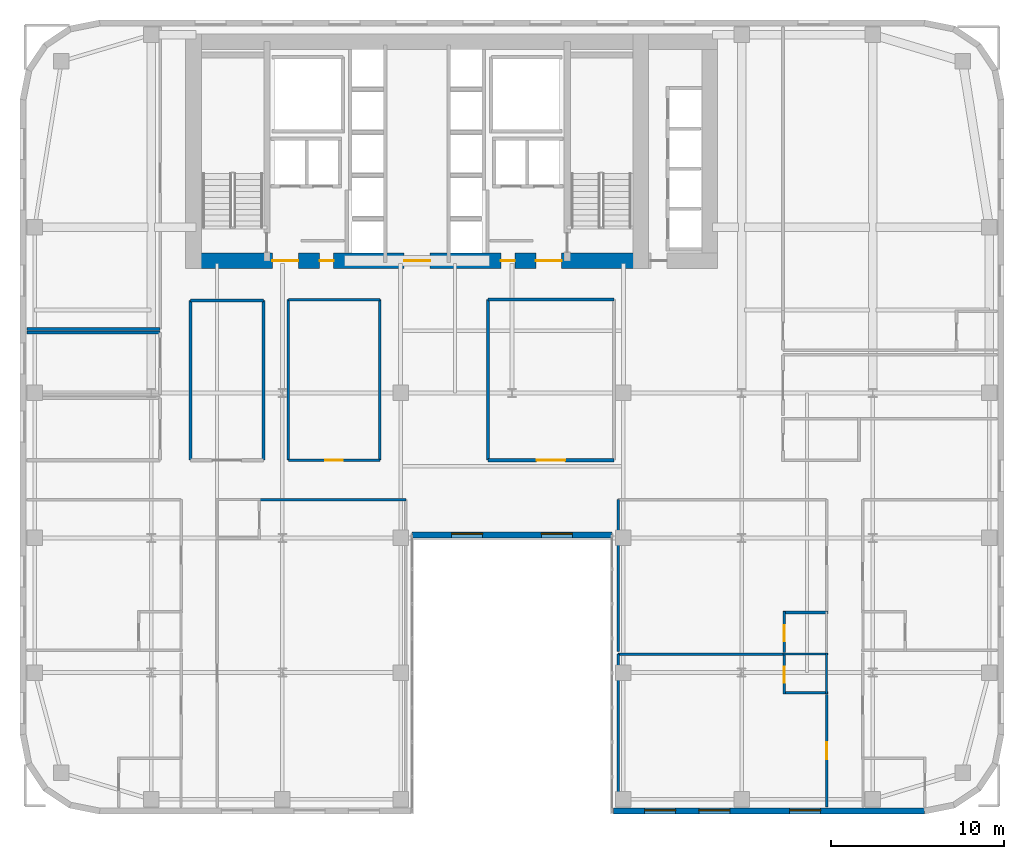
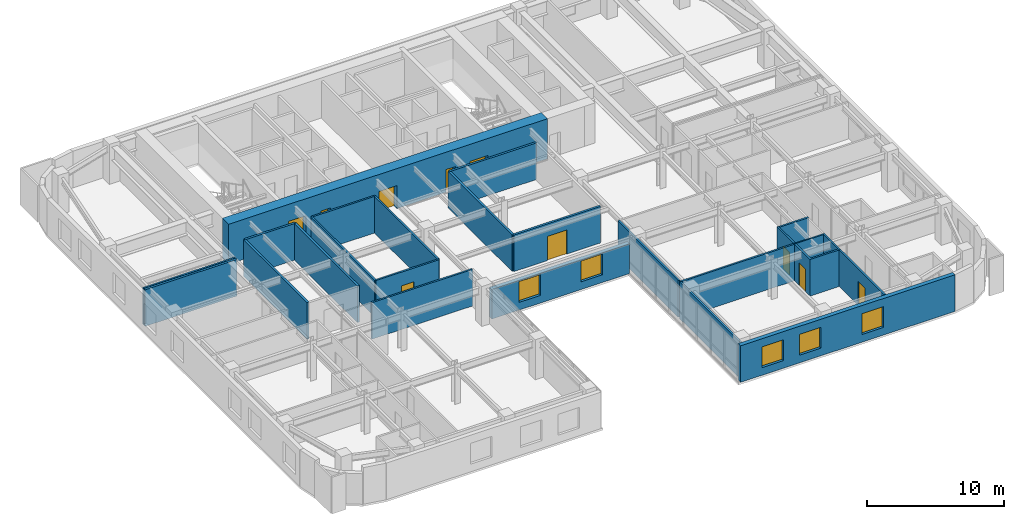
# One storey, part 11 of 16: 26 walls, 10 doors, 5 windows, 15 openings.
"""IFC4 building model written with IfcOpenShell, lengths in metres."""

from ifc_helpers import new_model, si_unit, direction, frame, frame_2d, origin, place, context, subcontext, project, spatial, rectangle, extrude, source, transform, mapped, material, layer, layer_set, type_object, type_shapes, element, fill, save


model = new_model("IFC4")

# Units and contexts
model_context = context("Model", 3, precision=1e-05, world=origin(), true_north=direction((0.0, 1.0)))
body_context = subcontext(model_context, "Body", "Model", "MODEL_VIEW")
ifc_project = project(units=[si_unit("LENGTHUNIT", "METRE"), si_unit("AREAUNIT", "SQUARE_METRE"), si_unit("VOLUMEUNIT", "CUBIC_METRE"), si_unit("PLANEANGLEUNIT", "RADIAN"), si_unit("MASSUNIT", "GRAM", prefix="KILO")], contexts=[model_context])

# Site, building, storey
site_placement = place(None, origin())
site = spatial("IfcSite", under=ifc_project, at=site_placement, CompositionType="ELEMENT")
building_placement = place(site_placement, origin())
building = spatial("IfcBuilding", under=site, at=building_placement, Name="Tolvann Quenvar Hotel", CompositionType="ELEMENT")
storey_placement = place(building_placement, frame((0.0, 0.0, 92.35009765625)))
storey = spatial("IfcBuildingStorey", under=building, at=storey_placement, Name="L23", CompositionType="ELEMENT", Elevation=92.35009765625)

# Wall, openings, doors
ifc_material_1 = material(Name="Concrete S80 (80 MPa)", Category="concrete")
ifc_layer_1 = layer(ifc_material_1, 0.89990234375)
ifc_layer_set_1 = layer_set([ifc_layer_1], Name="Concrete S80 (80 MPa)")
wall_type_1 = type_object("IfcWallType", Name="WALL_CORE_900", PredefinedType="SHEAR", material=ifc_layer_set_1)
wall_1_placement = place(storey_placement, frame((9.60009765625, 32.050048828125, 0.0), z_axis=(0.0, 0.0, 1.0), x_axis=(1.0, 0.0, 0.0)))
wall_1 = element("IfcWall", 1, at=wall_1_placement, inside=storey, type_object=wall_type_1, Name="Rear Core S Shear Wall (L23)", PredefinedType="SHEAR", context=body_context, shape_type="SweptSolid", body=[
    extrude(rectangle(XDim=26.7998046875, YDim=0.89990234375, at=frame_2d((13.39990234375, 0.0))), origin(), (0.0, 0.0, 1.0), 3.5498046875),
])
opening_1_placement = place(wall_1_placement, frame((6.52001953125, 0.0, 0.0), z_axis=(0.0, 0.0, 1.0), x_axis=(-1.0, 0.0, 0.0)))
opening_1 = element("IfcOpeningElement", 2, at=opening_1_placement, cuts=wall_1, Name="Opening FD-60D", PredefinedType="OPENING", context=body_context, shape_type="SweptSolid", body=[
    extrude(rectangle(XDim=1.5, YDim=2.0400390625, at=frame_2d((0.75, 1.02001953125))), frame((0.0, 0.4599609375, 0.0), z_axis=(0.0, -1.0, 0.0), x_axis=(1.0, 0.0, 0.0)), (0.0, 0.0, 1.0), 0.919921875),
])
opening_2_placement = place(wall_1_placement, frame((14.14990234375, 0.0, 0.0), z_axis=(0.0, 0.0, 1.0), x_axis=(-1.0, 0.0, 0.0)))
opening_2 = element("IfcOpeningElement", 3, at=opening_2_placement, cuts=wall_1, Name="Opening FD-60D", PredefinedType="OPENING", context=body_context, shape_type="SweptSolid", body=[
    extrude(rectangle(XDim=1.5, YDim=2.0400390625, at=frame_2d((0.75, 1.02001953125))), frame((0.0, 0.4599609375, 0.0), z_axis=(0.0, -1.0, 0.0), x_axis=(1.0, 0.0, 0.0)), (0.0, 0.0, 1.0), 0.919921875),
])
opening_3_placement = place(wall_1_placement, frame((21.780029296875, 0.0, 0.0), z_axis=(0.0, 0.0, 1.0), x_axis=(-1.0, 0.0, 0.0)))
opening_3 = element("IfcOpeningElement", 4, at=opening_3_placement, cuts=wall_1, Name="Opening FD-60D", PredefinedType="OPENING", context=body_context, shape_type="SweptSolid", body=[
    extrude(rectangle(XDim=1.5, YDim=2.0400390625, at=frame_2d((0.75, 1.02001953125))), frame((0.0, 0.4599609375, 0.0), z_axis=(0.0, -1.0, 0.0), x_axis=(1.0, 0.0, 0.0)), (0.0, 0.0, 1.0), 0.919921875),
])
opening_4_placement = place(wall_1_placement, frame((8.570068359375, 0.0, 0.0), z_axis=(0.0, 0.0, 1.0), x_axis=(-1.0, 0.0, 0.0)))
opening_4 = element("IfcOpeningElement", 5, at=opening_4_placement, cuts=wall_1, Name="Opening HD-02", PredefinedType="OPENING", context=body_context, shape_type="SweptSolid", body=[
    extrude(rectangle(XDim=0.820068359375, YDim=2.010009765625, at=frame_2d((0.41015625, 1.0048828125))), frame((0.0, 0.4599609375, 0.0), z_axis=(0.0, -1.0, 0.0), x_axis=(1.0, 0.0, 0.0)), (0.0, 0.0, 1.0), 0.919921875),
])
opening_5_placement = place(wall_1_placement, frame((19.070068359375, 0.0, 0.0), z_axis=(0.0, 0.0, 1.0), x_axis=(-1.0, 0.0, 0.0)))
opening_5 = element("IfcOpeningElement", 6, at=opening_5_placement, cuts=wall_1, Name="Opening HD-02", PredefinedType="OPENING", context=body_context, shape_type="SweptSolid", body=[
    extrude(rectangle(XDim=0.820068359375, YDim=2.010009765625, at=frame_2d((0.41015625, 1.0048828125))), frame((0.0, 0.4599609375, 0.0), z_axis=(0.0, -1.0, 0.0), x_axis=(1.0, 0.0, 0.0)), (0.0, 0.0, 1.0), 0.919921875),
])
ifc_material_2 = material(Name="Solid-core American oak acoustic fire door leaf in steel frame", Category="steel")
door_type_1 = type_object("IfcDoorType", Name="DOOR_FIRE_LOBBY_1500", OperationType="NOTDEFINED", PredefinedType="DOOR", material=ifc_material_2)
shared_shape_1 = source(origin(), body_context, "Body", "SweptSolid", [
    extrude(rectangle(XDim=1.5, YDim=2.0400390625, at=frame_2d((0.75, 1.02001953125))), frame((0.0, 0.02490234375, 0.0), z_axis=(0.0, -1.0, 0.0), x_axis=(1.0, 0.0, 0.0)), (0.0, 0.0, 1.0), 0.050048828125),
])
type_shapes(door_type_1, [shared_shape_1])
door_1_placement = place(opening_1_placement, origin())
door_1 = element("IfcDoor", 7, at=door_1_placement, inside=storey, type_object=door_type_1, Name="Core Lobby Fire Door FFW (L23)", OperationType="DOUBLE_DOOR_SINGLE_SWING", OverallHeight=2.0400390625, OverallWidth=1.5, PredefinedType="DOOR", context=body_context, shape_type="MappedRepresentation", body=[
    mapped(shared_shape_1, transform((0.0, 0.0, 0.0), x_axis=(1.0, 0.0, 0.0), y_axis=(0.0, 1.0, 0.0), z_axis=(0.0, 0.0, 1.0), scale=1.0)),
])
fill(opening_1, door_1)
door_2_placement = place(opening_2_placement, origin())
door_2 = element("IfcDoor", 8, at=door_2_placement, inside=storey, type_object=door_type_1, Name="Core Lobby Fire Door CLOB (L23)", OperationType="DOUBLE_DOOR_SINGLE_SWING", OverallHeight=2.0400390625, OverallWidth=1.5, PredefinedType="DOOR", context=body_context, shape_type="MappedRepresentation", body=[
    mapped(shared_shape_1, transform((0.0, 0.0, 0.0), x_axis=(1.0, 0.0, 0.0), y_axis=(0.0, 1.0, 0.0), z_axis=(0.0, 0.0, 1.0), scale=1.0)),
])
fill(opening_2, door_2)
door_3_placement = place(opening_3_placement, origin())
door_3 = element("IfcDoor", 9, at=door_3_placement, inside=storey, type_object=door_type_1, Name="Core Lobby Fire Door FFE (L23)", OperationType="DOUBLE_DOOR_SINGLE_SWING", OverallHeight=2.0400390625, OverallWidth=1.5, PredefinedType="DOOR", context=body_context, shape_type="MappedRepresentation", body=[
    mapped(shared_shape_1, transform((0.0, 0.0, 0.0), x_axis=(1.0, 0.0, 0.0), y_axis=(0.0, 1.0, 0.0), z_axis=(0.0, 0.0, 1.0), scale=1.0)),
])
fill(opening_3, door_3)
ifc_material_3 = material(Name="Pressed galvanised steel fire-rated door set", Category="steel")
door_type_2 = type_object("IfcDoorType", Name="DOOR_STORE_820", OperationType="NOTDEFINED", PredefinedType="DOOR", material=ifc_material_3)
shared_shape_2 = source(origin(), body_context, "Body", "SweptSolid", [
    extrude(rectangle(XDim=0.820068359375, YDim=2.010009765625, at=frame_2d((0.41015625, 1.0048828125))), frame((0.0, 0.02490234375, 0.0), z_axis=(0.0, -1.0, 0.0), x_axis=(1.0, 0.0, 0.0)), (0.0, 0.0, 1.0), 0.050048828125),
])
type_shapes(door_type_2, [shared_shape_2])
door_4_placement = place(opening_4_placement, origin())
door_4 = element("IfcDoor", 10, at=door_4_placement, inside=storey, type_object=door_type_2, Name="Core Linen Store Fire Door (L23)", OperationType="SINGLE_SWING_LEFT", OverallHeight=2.010009765625, OverallWidth=0.820068359375, PredefinedType="DOOR", context=body_context, shape_type="MappedRepresentation", body=[
    mapped(shared_shape_2, transform((0.0, 0.0, 0.0), x_axis=(1.0, 0.0, 0.0), y_axis=(0.0, 1.0, 0.0), z_axis=(0.0, 0.0, 1.0), scale=1.0)),
])
fill(opening_4, door_4)
door_5_placement = place(opening_5_placement, origin())
door_5 = element("IfcDoor", 11, at=door_5_placement, inside=storey, type_object=door_type_2, Name="Core Comms Closet Fire Door (L23)", OperationType="SINGLE_SWING_RIGHT", OverallHeight=2.010009765625, OverallWidth=0.820068359375, PredefinedType="DOOR", context=body_context, shape_type="MappedRepresentation", body=[
    mapped(shared_shape_2, transform((0.0, 0.0, 0.0), x_axis=(1.0, 0.0, 0.0), y_axis=(0.0, 1.0, 0.0), z_axis=(0.0, 0.0, 1.0), scale=1.0)),
])
fill(opening_5, door_5)

# Wall, openings, windows
ifc_material_4 = material(Name="Kiln-fired red and buff architectural clay brickwork and terracotta masonry", Category="masonry")
ifc_layer_2 = layer(ifc_material_4, 0.35009765625)
ifc_layer_set_2 = layer_set([ifc_layer_2], Name="Kiln-fired red and buff architectural clay brickwork and terracotta masonry")
wall_type_2 = type_object("IfcWallType", Name="WALL_EXT_BRICK_350", PredefinedType="SOLIDWALL", material=ifc_layer_set_2)
wall_2_placement = place(storey_placement, frame((22.7099609375, 16.175048828125, 0.0), z_axis=(0.0, 0.0, 1.0), x_axis=(1.0, 0.0, 0.0)))
wall_2 = element("IfcWall", 12, at=wall_2_placement, inside=storey, type_object=wall_type_2, Name="Exterior Chicago Brick Wall L23-E06", PredefinedType="SOLIDWALL", context=body_context, shape_type="SweptSolid", body=[
    extrude(rectangle(XDim=11.580078125, YDim=0.35009765625, at=frame_2d((5.7900390625, 0.0))), origin(), (0.0, 0.0, 1.0), 2.6279296875),
])
opening_6_placement = place(wall_2_placement, frame((2.294921875, 0.0, 0.679931640625)))
opening_6 = element("IfcOpeningElement", 13, at=opening_6_placement, cuts=wall_2, Name="Opening W-03", PredefinedType="OPENING", context=body_context, shape_type="SweptSolid", body=[
    extrude(rectangle(XDim=1.800048828125, YDim=1.85009765625, at=frame_2d((0.89990234375, 0.925048828125))), frame((0.0, 0.18505859375, 0.0), z_axis=(0.0, -1.0, 0.0), x_axis=(1.0, 0.0, 0.0)), (0.0, 0.0, 1.0), 0.3701171875),
])
opening_7_placement = place(wall_2_placement, frame((7.485107421875, 0.0, 0.679931640625)))
opening_7 = element("IfcOpeningElement", 14, at=opening_7_placement, cuts=wall_2, Name="Opening W-03", PredefinedType="OPENING", context=body_context, shape_type="SweptSolid", body=[
    extrude(rectangle(XDim=1.800048828125, YDim=1.85009765625, at=frame_2d((0.89990234375, 0.925048828125))), frame((0.0, 0.18505859375, 0.0), z_axis=(0.0, -1.0, 0.0), x_axis=(1.0, 0.0, 0.0)), (0.0, 0.0, 1.0), 0.3701171875),
])
ifc_material_5 = material(Name="Thermally broken bronze-anodised aluminium frame with double low-E glazing", Category="aluminium")
window_type = type_object("IfcWindowType", Name="WIN_CHI_1800x2050", PartitioningType="TRIPLE_PANEL_HORIZONTAL", PredefinedType="WINDOW", material=ifc_material_5)
shared_shape_3 = source(origin(), body_context, "Body", "SweptSolid", [
    extrude(rectangle(XDim=1.800048828125, YDim=1.85009765625, at=frame_2d((0.89990234375, 0.925048828125))), frame((0.0, 0.090087890625, 0.0), z_axis=(0.0, -1.0, 0.0), x_axis=(1.0, 0.0, 0.0)), (0.0, 0.0, 1.0), 0.06005859375),
])
type_shapes(window_type, [shared_shape_3])
window_1_placement = place(opening_6_placement, origin())
window_1 = element("IfcWindow", 15, at=window_1_placement, inside=storey, type_object=window_type, Name="Chicago Window W-03 (EW-L23-E06-W01)", OverallHeight=1.85009765625, OverallWidth=1.800048828125, PartitioningType="TRIPLE_PANEL_HORIZONTAL", PredefinedType="WINDOW", context=body_context, shape_type="MappedRepresentation", body=[
    mapped(shared_shape_3, transform((0.0, 0.0, 0.0), x_axis=(1.0, 0.0, 0.0), y_axis=(0.0, 1.0, 0.0), z_axis=(0.0, 0.0, 1.0), scale=1.0)),
])
fill(opening_6, window_1)
window_2_placement = place(opening_7_placement, origin())
window_2 = element("IfcWindow", 16, at=window_2_placement, inside=storey, type_object=window_type, Name="Chicago Window W-03 (EW-L23-E06-W02)", OverallHeight=1.85009765625, OverallWidth=1.800048828125, PartitioningType="TRIPLE_PANEL_HORIZONTAL", PredefinedType="WINDOW", context=body_context, shape_type="MappedRepresentation", body=[
    mapped(shared_shape_3, transform((0.0, 0.0, 0.0), x_axis=(1.0, 0.0, 0.0), y_axis=(0.0, 1.0, 0.0), z_axis=(0.0, 0.0, 1.0), scale=1.0)),
])
fill(opening_7, window_2)

wall_3_placement = place(storey_placement, frame((34.375, 0.175048828125, 0.0), z_axis=(0.0, 0.0, 1.0), x_axis=(1.0, 0.0, 0.0)))
wall_3 = element("IfcWall", 17, at=wall_3_placement, inside=storey, type_object=wall_type_2, Name="Exterior Chicago Brick Wall L23-E08", PredefinedType="SOLIDWALL", context=body_context, shape_type="SweptSolid", body=[
    extrude(rectangle(XDim=18.0078125, YDim=0.35009765625, at=frame_2d((9.00390625, 0.0))), origin(), (0.0, 0.0, 1.0), 3.25),
])
opening_8_placement = place(wall_3_placement, frame((1.801025390625, 0.0, 0.679931640625)))
opening_8 = element("IfcOpeningElement", 18, at=opening_8_placement, cuts=wall_3, Name="Opening W-03", PredefinedType="OPENING", context=body_context, shape_type="SweptSolid", body=[
    extrude(rectangle(XDim=1.800048828125, YDim=1.85009765625, at=frame_2d((0.89990234375, 0.925048828125))), frame((0.0, 0.18505859375, 0.0), z_axis=(0.0, -1.0, 0.0), x_axis=(1.0, 0.0, 0.0)), (0.0, 0.0, 1.0), 0.3701171875),
])
opening_9_placement = place(wall_3_placement, frame((4.952880859375, 0.0, 0.679931640625)))
opening_9 = element("IfcOpeningElement", 19, at=opening_9_placement, cuts=wall_3, Name="Opening W-03", PredefinedType="OPENING", context=body_context, shape_type="SweptSolid", body=[
    extrude(rectangle(XDim=1.800048828125, YDim=1.85009765625, at=frame_2d((0.89990234375, 0.925048828125))), frame((0.0, 0.18505859375, 0.0), z_axis=(0.0, -1.0, 0.0), x_axis=(1.0, 0.0, 0.0)), (0.0, 0.0, 1.0), 0.3701171875),
])
opening_10_placement = place(wall_3_placement, frame((10.205078125, 0.0, 0.679931640625)))
opening_10 = element("IfcOpeningElement", 20, at=opening_10_placement, cuts=wall_3, Name="Opening W-03", PredefinedType="OPENING", context=body_context, shape_type="SweptSolid", body=[
    extrude(rectangle(XDim=1.800048828125, YDim=1.85009765625, at=frame_2d((0.89990234375, 0.925048828125))), frame((0.0, 0.18505859375, 0.0), z_axis=(0.0, -1.0, 0.0), x_axis=(1.0, 0.0, 0.0)), (0.0, 0.0, 1.0), 0.3701171875),
])
window_3_placement = place(opening_8_placement, origin())
window_3 = element("IfcWindow", 21, at=window_3_placement, inside=storey, type_object=window_type, Name="Chicago Window W-03 (EW-L23-E08-W01)", OverallHeight=1.85009765625, OverallWidth=1.800048828125, PartitioningType="TRIPLE_PANEL_HORIZONTAL", PredefinedType="WINDOW", context=body_context, shape_type="MappedRepresentation", body=[
    mapped(shared_shape_3, transform((0.0, 0.0, 0.0), x_axis=(1.0, 0.0, 0.0), y_axis=(0.0, 1.0, 0.0), z_axis=(0.0, 0.0, 1.0), scale=1.0)),
])
fill(opening_8, window_3)
window_4_placement = place(opening_9_placement, origin())
window_4 = element("IfcWindow", 22, at=window_4_placement, inside=storey, type_object=window_type, Name="Chicago Window W-03 (EW-L23-E08-W02)", OverallHeight=1.85009765625, OverallWidth=1.800048828125, PartitioningType="TRIPLE_PANEL_HORIZONTAL", PredefinedType="WINDOW", context=body_context, shape_type="MappedRepresentation", body=[
    mapped(shared_shape_3, transform((0.0, 0.0, 0.0), x_axis=(1.0, 0.0, 0.0), y_axis=(0.0, 1.0, 0.0), z_axis=(0.0, 0.0, 1.0), scale=1.0)),
])
fill(opening_9, window_4)
window_5_placement = place(opening_10_placement, origin())
window_5 = element("IfcWindow", 23, at=window_5_placement, inside=storey, type_object=window_type, Name="Chicago Window W-03 (EW-L23-E08-W03)", OverallHeight=1.85009765625, OverallWidth=1.800048828125, PartitioningType="TRIPLE_PANEL_HORIZONTAL", PredefinedType="WINDOW", context=body_context, shape_type="MappedRepresentation", body=[
    mapped(shared_shape_3, transform((0.0, 0.0, 0.0), x_axis=(1.0, 0.0, 0.0), y_axis=(0.0, 1.0, 0.0), z_axis=(0.0, 0.0, 1.0), scale=1.0)),
])
fill(opening_10, window_5)

# Walls
ifc_material_6 = material(Name="Acoustic twin-stud fire-rated gypsum plasterboard partition")
ifc_layer_3 = layer(ifc_material_6, 0.179931640625)
ifc_layer_set_3 = layer_set([ifc_layer_3], Name="Acoustic twin-stud fire-rated gypsum plasterboard partition")
wall_type_3 = type_object("IfcWallType", Name="WALL_PART_ACOUSTIC_180", PredefinedType="PARTITIONING", material=ifc_layer_set_3)
wall_4_placement = place(storey_placement, frame((0.405029296875, 27.89990234375, 0.0), z_axis=(0.0, 0.0, 1.0), x_axis=(1.0, 0.0, 0.0)))
element("IfcWall", 24, at=wall_4_placement, inside=storey, type_object=wall_type_3, Name="Interior Partition PT-SPC-L23-MTG-N", PredefinedType="PARTITIONING", context=body_context, shape_type="SweptSolid", body=[
    extrude(rectangle(XDim=7.715087890625, YDim=0.179931640625, at=frame_2d((3.857421875, 0.0))), origin(), (0.0, 0.0, 1.0), 3.25),
])
wall_5_placement = place(storey_placement, frame((9.8798828125, 29.75, 0.0), z_axis=(0.0, 0.0, 1.0), x_axis=(1.0, 0.0, 0.0)))
element("IfcWall", 25, at=wall_5_placement, inside=storey, type_object=wall_type_3, Name="Interior Partition PT-SPC-L23-MSP-W-N", PredefinedType="PARTITIONING", context=body_context, shape_type="SweptSolid", body=[
    extrude(rectangle(XDim=4.22021484375, YDim=0.179931640625, at=frame_2d((2.110107421875, 0.0))), origin(), (0.0, 0.0, 1.0), 3.25),
])
for number, where, z_axis, x_axis, name in (
    (26, (9.8798828125, 20.5, 0.0), (0.0, 0.0, 1.0), (0.0, 1.0, 0.0), "Interior Partition PT-SPC-L23-MSP-W-W"),
    (27, (14.10009765625, 20.5, 0.0), (0.0, 0.0, 1.0), (0.0, 1.0, 0.0), "Interior Partition PT-SPC-L23-MSP-W-E"),
):
    element("IfcWall", number, at=place(storey_placement, frame(where, z_axis=z_axis, x_axis=x_axis)), inside=storey, type_object=wall_type_3, Name=name, PredefinedType="PARTITIONING", context=body_context, shape_type="SweptSolid", body=[
        extrude(rectangle(XDim=9.25, YDim=0.179931640625, at=frame_2d((4.625, 0.0))), origin(), (0.0, 0.0, 1.0), 3.25),
    ])

# Wall, opening, door
wall_6_placement = place(storey_placement, frame((27.10009765625, 20.5, 0.0), z_axis=(0.0, 0.0, 1.0), x_axis=(1.0, 0.0, 0.0)))
wall_6 = element("IfcWall", 28, at=wall_6_placement, inside=storey, type_object=wall_type_3, Name="Interior Partition PT-SPC-L23-MSP-C-S", PredefinedType="PARTITIONING", context=body_context, shape_type="SweptSolid", body=[
    extrude(rectangle(XDim=7.2998046875, YDim=0.179931640625, at=frame_2d((3.64990234375, 0.0))), origin(), (0.0, 0.0, 1.0), 3.25),
])
opening_11_placement = place(wall_6_placement, frame((2.824951171875, 0.0, 0.0)))
opening_11 = element("IfcOpeningElement", 29, at=opening_11_placement, cuts=wall_6, Name="Opening AD-01", PredefinedType="OPENING", context=body_context, shape_type="SweptSolid", body=[
    extrude(rectangle(XDim=1.64990234375, YDim=2.14990234375, at=frame_2d((0.824951171875, 1.074951171875))), frame((0.0, 0.10009765625, 0.0), z_axis=(0.0, -1.0, 0.0), x_axis=(1.0, 0.0, 0.0)), (0.0, 0.0, 1.0), 0.199951171875),
])
door_type_3 = type_object("IfcDoorType", Name="DOOR_SALON_1650", OperationType="NOTDEFINED", PredefinedType="DOOR", material=ifc_material_2)
shared_shape_4 = source(origin(), body_context, "Body", "SweptSolid", [
    extrude(rectangle(XDim=1.64990234375, YDim=2.14990234375, at=frame_2d((0.824951171875, 1.074951171875))), frame((0.0, 0.02490234375, 0.0), z_axis=(0.0, -1.0, 0.0), x_axis=(1.0, 0.0, 0.0)), (0.0, 0.0, 1.0), 0.050048828125),
])
type_shapes(door_type_3, [shared_shape_4])
door_6_placement = place(opening_11_placement, origin())
door_6 = element("IfcDoor", 30, at=door_6_placement, inside=storey, type_object=door_type_3, Name="Interior Door DOOR-SPC-L23-MSP-C", OperationType="DOUBLE_DOOR_SINGLE_SWING", OverallHeight=2.14990234375, OverallWidth=1.64990234375, PredefinedType="DOOR", context=body_context, shape_type="MappedRepresentation", body=[
    mapped(shared_shape_4, transform((0.0, 0.0, 0.0), x_axis=(1.0, 0.0, 0.0), y_axis=(0.0, 1.0, 0.0), z_axis=(0.0, 0.0, 1.0), scale=1.0)),
])
fill(opening_11, door_6)

# Walls
wall_7_placement = place(storey_placement, frame((27.10009765625, 29.800048828125, 0.0), z_axis=(0.0, 0.0, 1.0), x_axis=(1.0, 0.0, 0.0)))
element("IfcWall", 31, at=wall_7_placement, inside=storey, type_object=wall_type_3, Name="Interior Partition PT-SPC-L23-MSP-C-N", PredefinedType="PARTITIONING", context=body_context, shape_type="SweptSolid", body=[
    extrude(rectangle(XDim=7.2998046875, YDim=0.179931640625, at=frame_2d((3.64990234375, 0.0))), origin(), (0.0, 0.0, 1.0), 3.25),
])
wall_8_placement = place(storey_placement, frame((27.10009765625, 20.5, 0.0), z_axis=(0.0, 0.0, 1.0), x_axis=(0.0, 1.0, 0.0)))
element("IfcWall", 32, at=wall_8_placement, inside=storey, type_object=wall_type_3, Name="Interior Partition PT-SPC-L23-MSP-C-W", PredefinedType="PARTITIONING", context=body_context, shape_type="SweptSolid", body=[
    extrude(rectangle(XDim=9.300048828125, YDim=0.179931640625, at=frame_2d((4.64990234375, 0.0))), origin(), (0.0, 0.0, 1.0), 3.25),
])
ifc_material_7 = material(Name="Moisture-resistant acoustic plumbing wall assembly")
ifc_layer_4 = layer(ifc_material_7, 0.1201171875)
ifc_layer_set_4 = layer_set([ifc_layer_4], Name="Moisture-resistant acoustic plumbing wall assembly")
wall_type_4 = type_object("IfcWallType", Name="WALL_PART_BATH_120", PredefinedType="PLUMBINGWALL", material=ifc_layer_set_4)
wall_9_placement = place(storey_placement, frame((44.2099609375, 9.27001953125, 0.0), z_axis=(0.0, 0.0, 1.0), x_axis=(1.0, 0.0, 0.0)))
element("IfcWall", 33, at=wall_9_placement, inside=storey, type_object=wall_type_4, Name="Non-Rated Plumbing Partition PT-SPC-L23-ENS-EI01-N", PredefinedType="PLUMBINGWALL", context=body_context, shape_type="SweptSolid", body=[
    extrude(rectangle(XDim=2.590087890625, YDim=0.1201171875, at=frame_2d((1.294921875, 0.0))), origin(), (0.0, 0.0, 1.0), 3.25),
])
wall_10_placement = place(storey_placement, frame((46.72998046875, 6.949951171875, 0.0), z_axis=(0.0, 0.0, 1.0), x_axis=(0.0, 1.0, 0.0)))
element("IfcWall", 34, at=wall_10_placement, inside=storey, type_object=wall_type_4, Name="Non-Rated Plumbing Partition PT-SPC-L23-ENS-EI01-E", PredefinedType="PLUMBINGWALL", context=body_context, shape_type="SweptSolid", body=[
    extrude(rectangle(XDim=2.39013671875, YDim=0.1201171875, at=frame_2d((1.195068359375, 0.0))), origin(), (0.0, 0.0, 1.0), 3.25),
])

# Wall, opening, door
ifc_layer_5 = layer(ifc_material_6, 0.14990234375)
ifc_layer_set_5 = layer_set([ifc_layer_5], Name="Acoustic twin-stud fire-rated gypsum plasterboard partition")
wall_type_5 = type_object("IfcWallType", Name="WALL_PART_SUITE_150", PredefinedType="PARTITIONING", material=ifc_layer_set_5)
wall_11_placement = place(storey_placement, frame((44.280029296875, 6.949951171875, 0.0), z_axis=(0.0, 0.0, 1.0), x_axis=(0.0, 1.0, 0.0)))
wall_11 = element("IfcWall", 35, at=wall_11_placement, inside=storey, type_object=wall_type_5, Name="Interior Partition PT-SPC-L23-ENS-EI01-ENT", PredefinedType="PARTITIONING", context=body_context, shape_type="SweptSolid", body=[
    extrude(rectangle(XDim=2.39013671875, YDim=0.14990234375, at=frame_2d((1.195068359375, 0.0))), origin(), (0.0, 0.0, 1.0), 3.25),
])
opening_12_placement = place(wall_11_placement, frame((0.6650390625, 0.0, 0.0)))
opening_12 = element("IfcOpeningElement", 36, at=opening_12_placement, cuts=wall_11, Name="Opening WD-01", PredefinedType="OPENING", context=body_context, shape_type="SweptSolid", body=[
    extrude(rectangle(XDim=0.919921875, YDim=2.010009765625, at=frame_2d((0.4599609375, 1.0048828125))), frame((0.0, 0.0849609375, 0.0), z_axis=(0.0, -1.0, 0.0), x_axis=(1.0, 0.0, 0.0)), (0.0, 0.0, 1.0), 0.169921875),
])
door_type_4 = type_object("IfcDoorType", Name="DOOR_WC_920", OperationType="NOTDEFINED", PredefinedType="DOOR", material=ifc_material_2)
shared_shape_5 = source(origin(), body_context, "Body", "SweptSolid", [
    extrude(rectangle(XDim=0.919921875, YDim=2.010009765625, at=frame_2d((0.4599609375, 1.0048828125))), frame((0.0, 0.02490234375, 0.0), z_axis=(0.0, -1.0, 0.0), x_axis=(1.0, 0.0, 0.0)), (0.0, 0.0, 1.0), 0.050048828125),
])
type_shapes(door_type_4, [shared_shape_5])
door_7_placement = place(opening_12_placement, origin())
door_7 = element("IfcDoor", 37, at=door_7_placement, inside=storey, type_object=door_type_4, Name="Interior Door DOOR-SPC-L23-ENS-EI01", OperationType="SINGLE_SWING_LEFT", OverallHeight=2.010009765625, OverallWidth=0.919921875, PredefinedType="DOOR", context=body_context, shape_type="MappedRepresentation", body=[
    mapped(shared_shape_5, transform((0.0, 0.0, 0.0), x_axis=(1.0, 0.0, 0.0), y_axis=(0.0, 1.0, 0.0), z_axis=(0.0, 0.0, 1.0), scale=1.0)),
])
fill(opening_12, door_7)

# Wall
wall_12_placement = place(storey_placement, frame((44.2099609375, 7.02001953125, 0.0), z_axis=(0.0, 0.0, 1.0), x_axis=(1.0, 0.0, 0.0)))
element("IfcWall", 38, at=wall_12_placement, inside=storey, type_object=wall_type_5, Name="Interior Partition PT-SPC-L23-ENS-EI01-S", PredefinedType="PARTITIONING", context=body_context, shape_type="SweptSolid", body=[
    extrude(rectangle(XDim=2.590087890625, YDim=0.14990234375, at=frame_2d((1.294921875, 0.0))), origin(), (0.0, 0.0, 1.0), 3.25),
])

# Wall, opening, door
wall_13_placement = place(storey_placement, frame((44.280029296875, 9.360107421875, 0.0), z_axis=(0.0, 0.0, 1.0), x_axis=(0.0, 1.0, 0.0)))
wall_13 = element("IfcWall", 39, at=wall_13_placement, inside=storey, type_object=wall_type_5, Name="Interior Partition PT-SPC-L23-ENS-EI02-ENT", PredefinedType="PARTITIONING", context=body_context, shape_type="SweptSolid", body=[
    extrude(rectangle(XDim=2.389892578125, YDim=0.14990234375, at=frame_2d((1.19482421875, 0.0))), origin(), (0.0, 0.0, 1.0), 3.25),
])
opening_13_placement = place(wall_13_placement, frame((0.6650390625, 0.0, 0.0)))
opening_13 = element("IfcOpeningElement", 40, at=opening_13_placement, cuts=wall_13, Name="Opening WD-01", PredefinedType="OPENING", context=body_context, shape_type="SweptSolid", body=[
    extrude(rectangle(XDim=0.919921875, YDim=2.010009765625, at=frame_2d((0.4599609375, 1.0048828125))), frame((0.0, 0.0849609375, 0.0), z_axis=(0.0, -1.0, 0.0), x_axis=(1.0, 0.0, 0.0)), (0.0, 0.0, 1.0), 0.169921875),
])
door_8_placement = place(opening_13_placement, origin())
door_8 = element("IfcDoor", 41, at=door_8_placement, inside=storey, type_object=door_type_4, Name="Interior Door DOOR-SPC-L23-ENS-EI02", OperationType="SINGLE_SWING_RIGHT", OverallHeight=2.010009765625, OverallWidth=0.919921875, PredefinedType="DOOR", context=body_context, shape_type="MappedRepresentation", body=[
    mapped(shared_shape_5, transform((0.0, 0.0, 0.0), x_axis=(1.0, 0.0, 0.0), y_axis=(0.0, 1.0, 0.0), z_axis=(0.0, 0.0, 1.0), scale=1.0)),
])
fill(opening_13, door_8)

# Walls
wall_14_placement = place(storey_placement, frame((44.2099609375, 11.679931640625, 0.0), z_axis=(0.0, 0.0, 1.0), x_axis=(1.0, 0.0, 0.0)))
element("IfcWall", 42, at=wall_14_placement, inside=storey, type_object=wall_type_5, Name="Interior Partition PT-SPC-L23-ENS-EI02-N", PredefinedType="PARTITIONING", context=body_context, shape_type="SweptSolid", body=[
    extrude(rectangle(XDim=2.590087890625, YDim=0.14990234375, at=frame_2d((1.294921875, 0.0))), origin(), (0.0, 0.0, 1.0), 3.25),
])
wall_15_placement = place(storey_placement, frame((13.889892578125, 18.219970703125, 0.0), z_axis=(0.0, 0.0, 1.0), x_axis=(1.0, 0.0, 0.0)))
element("IfcWall", 43, at=wall_15_placement, inside=storey, type_object=wall_type_5, Name="Interior Partition PT-SPC-L23-RM-WI01-E3", PredefinedType="PARTITIONING", context=body_context, shape_type="SweptSolid", body=[
    extrude(rectangle(XDim=8.460205078125, YDim=0.14990234375, at=frame_2d((4.22998046875, 0.0))), origin(), (0.0, 0.0, 1.0), 3.25),
])

# Wall, opening, door
wall_16_placement = place(storey_placement, frame((46.72998046875, 0.405029296875, 0.0), z_axis=(0.0, 0.0, 1.0), x_axis=(0.0, 1.0, 0.0)))
wall_16 = element("IfcWall", 44, at=wall_16_placement, inside=storey, type_object=wall_type_5, Name="Interior Partition PT-SPC-L23-RM-EI01-ENT", PredefinedType="PARTITIONING", context=body_context, shape_type="SweptSolid", body=[
    extrude(rectangle(XDim=6.534912109375, YDim=0.14990234375, at=frame_2d((3.267578125, 0.0))), origin(), (0.0, 0.0, 1.0), 3.25),
])
opening_14_placement = place(wall_16_placement, frame((2.784912109375, 0.0, 0.0)))
opening_14 = element("IfcOpeningElement", 45, at=opening_14_placement, cuts=wall_16, Name="Opening SD-01", PredefinedType="OPENING", context=body_context, shape_type="SweptSolid", body=[
    extrude(rectangle(XDim=0.97998046875, YDim=2.1201171875, at=frame_2d((0.489990234375, 1.06005859375))), frame((0.0, 0.0849609375, 0.0), z_axis=(0.0, -1.0, 0.0), x_axis=(1.0, 0.0, 0.0)), (0.0, 0.0, 1.0), 0.169921875),
])
door_type_5 = type_object("IfcDoorType", Name="DOOR_SUITE_980", OperationType="NOTDEFINED", PredefinedType="DOOR", material=ifc_material_2)
shared_shape_6 = source(origin(), body_context, "Body", "SweptSolid", [
    extrude(rectangle(XDim=0.97998046875, YDim=2.1201171875, at=frame_2d((0.489990234375, 1.06005859375))), frame((0.0, 0.02490234375, 0.0), z_axis=(0.0, -1.0, 0.0), x_axis=(1.0, 0.0, 0.0)), (0.0, 0.0, 1.0), 0.050048828125),
])
type_shapes(door_type_5, [shared_shape_6])
door_9_placement = place(opening_14_placement, origin())
door_9 = element("IfcDoor", 46, at=door_9_placement, inside=storey, type_object=door_type_5, Name="Interior Door DOOR-SPC-L23-RM-EI01", OperationType="SINGLE_SWING_LEFT", OverallHeight=2.1201171875, OverallWidth=0.97998046875, PredefinedType="DOOR", context=body_context, shape_type="MappedRepresentation", body=[
    mapped(shared_shape_6, transform((0.0, 0.0, 0.0), x_axis=(1.0, 0.0, 0.0), y_axis=(0.0, 1.0, 0.0), z_axis=(0.0, 0.0, 1.0), scale=1.0)),
])
fill(opening_14, door_9)

# Walls
wall_17_placement = place(storey_placement, frame((34.64990234375, 9.27001953125, 0.0), z_axis=(0.0, 0.0, 1.0), x_axis=(1.0, 0.0, 0.0)))
element("IfcWall", 47, at=wall_17_placement, inside=storey, type_object=wall_type_5, Name="Interior Partition PT-SPC-L23-RM-EI01-E5", PredefinedType="PARTITIONING", context=body_context, shape_type="SweptSolid", body=[
    extrude(rectangle(XDim=9.610107421875, YDim=0.14990234375, at=frame_2d((4.80517578125, 0.0))), origin(), (0.0, 0.0, 1.0), 3.25),
])
wall_18_placement = place(storey_placement, frame((34.64990234375, 0.405029296875, 0.0), z_axis=(0.0, 0.0, 1.0), x_axis=(0.0, 1.0, 0.0)))
element("IfcWall", 48, at=wall_18_placement, inside=storey, type_object=wall_type_5, Name="Interior Partition PT-SPC-L23-RM-EI01-E6", PredefinedType="PARTITIONING", context=body_context, shape_type="SweptSolid", body=[
    extrude(rectangle(XDim=8.864990234375, YDim=0.14990234375, at=frame_2d((4.4326171875, 0.0))), origin(), (0.0, 0.0, 1.0), 3.25),
])
wall_19_placement = place(storey_placement, frame((34.64990234375, 9.429931640625, 0.0), z_axis=(0.0, 0.0, 1.0), x_axis=(0.0, 1.0, 0.0)))
element("IfcWall", 49, at=wall_19_placement, inside=storey, type_object=wall_type_5, Name="Interior Partition PT-SPC-L23-RM-EI02-E6", PredefinedType="PARTITIONING", context=body_context, shape_type="SweptSolid", body=[
    extrude(rectangle(XDim=8.7900390625, YDim=0.14990234375, at=frame_2d((4.39501953125, 0.0))), origin(), (0.0, 0.0, 1.0), 3.25),
])
wall_20_placement = place(storey_placement, frame((0.405029296875, 28.10009765625, 0.0), z_axis=(0.0, 0.0, 1.0), x_axis=(1.0, 0.0, 0.0)))
element("IfcWall", 50, at=wall_20_placement, inside=storey, type_object=wall_type_5, Name="Interior Partition PT-SPC-L23-TEA-S", PredefinedType="PARTITIONING", context=body_context, shape_type="SweptSolid", body=[
    extrude(rectangle(XDim=7.715087890625, YDim=0.14990234375, at=frame_2d((3.857421875, 0.0))), origin(), (0.0, 0.0, 1.0), 3.25),
])

# Wall, opening, door
wall_21_placement = place(storey_placement, frame((15.550048828125, 20.5, 0.0), z_axis=(0.0, 0.0, 1.0), x_axis=(1.0, 0.0, 0.0)))
wall_21 = element("IfcWall", 51, at=wall_21_placement, inside=storey, type_object=wall_type_5, Name="Interior Partition PT-SPC-L23-MSP-N-S", PredefinedType="PARTITIONING", context=body_context, shape_type="SweptSolid", body=[
    extrude(rectangle(XDim=5.300048828125, YDim=0.14990234375, at=frame_2d((2.64990234375, 0.0))), origin(), (0.0, 0.0, 1.0), 3.25),
])
opening_15_placement = place(wall_21_placement, frame((2.139892578125, 0.0, 0.0)))
opening_15 = element("IfcOpeningElement", 52, at=opening_15_placement, cuts=wall_21, Name="Opening HD-01", PredefinedType="OPENING", context=body_context, shape_type="SweptSolid", body=[
    extrude(rectangle(XDim=1.02001953125, YDim=2.030029296875, at=frame_2d((0.510009765625, 1.01513671875))), frame((0.0, 0.0849609375, 0.0), z_axis=(0.0, -1.0, 0.0), x_axis=(1.0, 0.0, 0.0)), (0.0, 0.0, 1.0), 0.169921875),
])
door_type_6 = type_object("IfcDoorType", Name="DOOR_BOH_1020", OperationType="NOTDEFINED", PredefinedType="DOOR", material=ifc_material_3)
shared_shape_7 = source(origin(), body_context, "Body", "SweptSolid", [
    extrude(rectangle(XDim=1.02001953125, YDim=2.030029296875, at=frame_2d((0.510009765625, 1.01513671875))), frame((0.0, 0.02490234375, 0.0), z_axis=(0.0, -1.0, 0.0), x_axis=(1.0, 0.0, 0.0)), (0.0, 0.0, 1.0), 0.050048828125),
])
type_shapes(door_type_6, [shared_shape_7])
door_10_placement = place(opening_15_placement, origin())
door_10 = element("IfcDoor", 53, at=door_10_placement, inside=storey, type_object=door_type_6, Name="Interior Door DOOR-SPC-L23-MSP-N", OperationType="SINGLE_SWING_LEFT", OverallHeight=2.030029296875, OverallWidth=1.02001953125, PredefinedType="DOOR", context=body_context, shape_type="MappedRepresentation", body=[
    mapped(shared_shape_7, transform((0.0, 0.0, 0.0), x_axis=(1.0, 0.0, 0.0), y_axis=(0.0, 1.0, 0.0), z_axis=(0.0, 0.0, 1.0), scale=1.0)),
])
fill(opening_15, door_10)

# Walls
wall_22_placement = place(storey_placement, frame((15.550048828125, 29.800048828125, 0.0), z_axis=(0.0, 0.0, 1.0), x_axis=(1.0, 0.0, 0.0)))
element("IfcWall", 54, at=wall_22_placement, inside=storey, type_object=wall_type_5, Name="Interior Partition PT-SPC-L23-MSP-N-N", PredefinedType="PARTITIONING", context=body_context, shape_type="SweptSolid", body=[
    extrude(rectangle(XDim=5.300048828125, YDim=0.14990234375, at=frame_2d((2.64990234375, 0.0))), origin(), (0.0, 0.0, 1.0), 3.25),
])
for number, where, z_axis, x_axis, name in (
    (55, (15.550048828125, 20.5, 0.0), (0.0, 0.0, 1.0), (0.0, 1.0, 0.0), "Interior Partition PT-SPC-L23-MSP-N-W"),
    (56, (20.85009765625, 20.5, 0.0), (0.0, 0.0, 1.0), (0.0, 1.0, 0.0), "Interior Partition PT-SPC-L23-MSP-N-E"),
):
    element("IfcWall", number, at=place(storey_placement, frame(where, z_axis=z_axis, x_axis=x_axis)), inside=storey, type_object=wall_type_5, Name=name, PredefinedType="PARTITIONING", context=body_context, shape_type="SweptSolid", body=[
        extrude(rectangle(XDim=9.300048828125, YDim=0.14990234375, at=frame_2d((4.64990234375, 0.0))), origin(), (0.0, 0.0, 1.0), 3.25),
    ])

save(model, "model.ifc")
